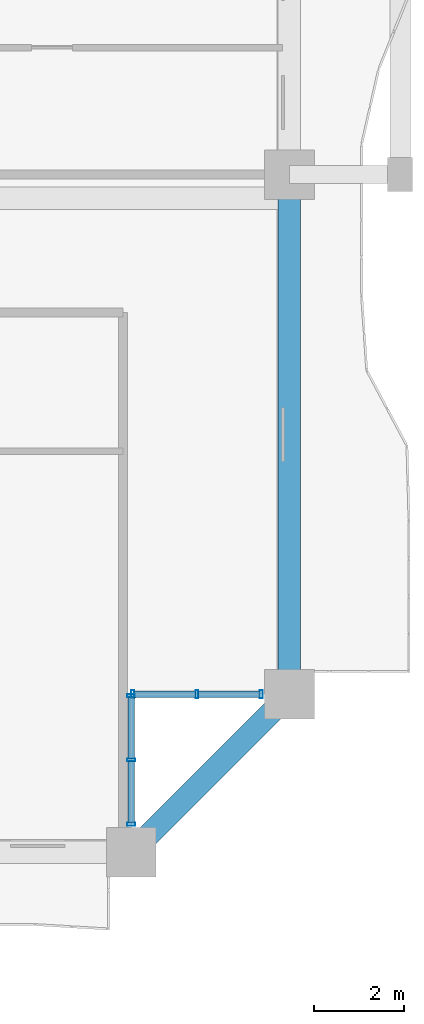
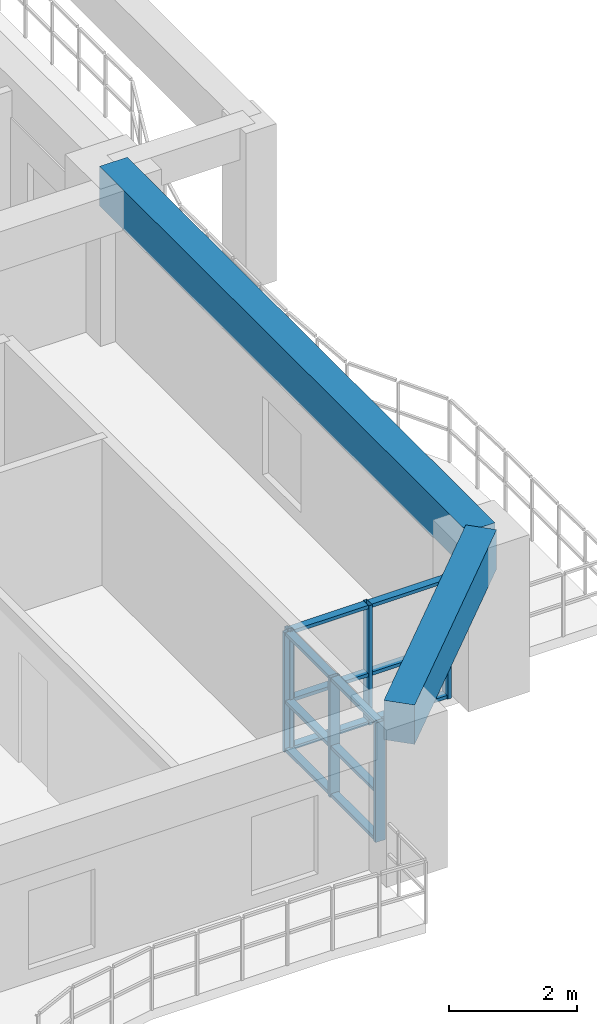
# One storey, part 4 of 27: 18 members, 2 beams, 2 elements without a shape of their own.
"""IFC4 building model written with IfcOpenShell, lengths in metres."""

from ifc_helpers import new_model, si_unit, direction, frame, origin, origin_2d, place, context, subcontext, project, spatial, rectangle, hollow_rectangle, extrude, source, transform, mapped, material, layer, layer_set, material_profile, profile_set, type_object, element, aggregate, save


model = new_model("IFC4")

# Units and contexts
model_context = context("Model", 3, precision=1e-05, world=origin(), true_north=direction((0.0, 1.0)))
body_context = subcontext(model_context, "Body", "Model", "MODEL_VIEW")
ifc_project = project(units=[si_unit("LENGTHUNIT", "METRE"), si_unit("AREAUNIT", "SQUARE_METRE"), si_unit("VOLUMEUNIT", "CUBIC_METRE"), si_unit("PLANEANGLEUNIT", "RADIAN"), si_unit("MASSUNIT", "GRAM", prefix="KILO")], contexts=[model_context])

# Site, building, storey
site_placement = place(None, origin())
site = spatial("IfcSite", under=ifc_project, at=site_placement, CompositionType="ELEMENT")
building_placement = place(site_placement, origin())
building = spatial("IfcBuilding", under=site, at=building_placement, Name="Saelheon Loggia Tower", CompositionType="ELEMENT")
storey_placement = place(building_placement, frame((0.0, 0.0, 43.39990234375)))
storey = spatial("IfcBuildingStorey", under=building, at=storey_placement, Name="L13", CompositionType="ELEMENT", Elevation=43.39990234375)

# Beams
ifc_material_1 = material(Name="Concrete C45/55", Category="concrete")
ifc_material_profile_1 = material_profile(ifc_material_1, rectangle(XDim=0.5, YDim=0.75, at=origin_2d()), Name="RC-500x750")
ifc_profile_set_1 = profile_set([ifc_material_profile_1], Name="Concrete C45/55")
beam_type = type_object("IfcBeamType", Name="Beam_PerimGirder_RC500x750", PredefinedType="BEAM", material=ifc_profile_set_1)
shared_shape_1 = source(origin(), body_context, "Body", "SweptSolid", [
    extrude(rectangle(XDim=0.5, YDim=0.75, at=origin_2d()), origin(), (0.0, 0.0, 1.0), 4.94970703125),
])
beam_1_placement = place(storey_placement, frame((60.5, 3.0, 2.625), z_axis=(0.707106781187, 0.707106781187, 0.0), x_axis=(-0.707106781187, 0.707106781187, 0.0)))
element("IfcBeam", 1, at=beam_1_placement, inside=storey, type_object=beam_type, Name="L13 Perimeter Frame Girder 04", PredefinedType="BEAM", context=body_context, shape_type="MappedRepresentation", body=[
    mapped(shared_shape_1, transform((0.0, 0.0, 0.0), scale=1.0)),
])
shared_shape_2 = source(origin(), body_context, "Body", "SweptSolid", [
    extrude(rectangle(XDim=0.5, YDim=0.75, at=origin_2d()), origin(), (0.0, 0.0, 1.0), 11.5),
])
beam_2_placement = place(storey_placement, frame((64.0, 6.5, 2.625), z_axis=(0.0, 1.0, 0.0), x_axis=(-1.0, 0.0, 0.0)))
element("IfcBeam", 2, at=beam_2_placement, inside=storey, type_object=beam_type, Name="L13 Perimeter Frame Girder 05", PredefinedType="BEAM", context=body_context, shape_type="MappedRepresentation", body=[
    mapped(shared_shape_2, transform((0.0, 0.0, 0.0), scale=1.0)),
])

# Curtain wall, members
ifc_material_2 = material(Name="Thermal-Break Aluminium and Triple Low-E Glass", Category="aluminium")
ifc_layer = layer(ifc_material_2, 0.159912109375)
ifc_layer_set = layer_set([ifc_layer], Name="Thermal-Break Aluminium and Triple Low-E Glass")
curtain_wall_type = type_object("IfcCurtainWallType", Name="CW_TowerLoggiaLow", PredefinedType="NOTDEFINED", material=ifc_layer_set)
curtain_wall_1_placement = place(storey_placement, origin())
curtain_wall_1 = element("IfcCurtainWall", 3, at=curtain_wall_1_placement, inside=storey, type_object=curtain_wall_type, Name="L13 Corner Notch Glazing SE1", PredefinedType="NOTDEFINED")
ifc_material_3 = material(Name="Anodised Aluminium 6063-T6", Category="aluminium")
ifc_material_profile_2 = material_profile(ifc_material_3, hollow_rectangle(XDim=0.06494140625, YDim=0.179931640625, WallThickness=0.00390625, at=origin_2d()), Name="RHS-180x65x4")
ifc_profile_set_2 = profile_set([ifc_material_profile_2], Name="Anodised Aluminium 6063-T6")
member_type_1 = type_object("IfcMemberType", Name="CW_TowerLoggiaLow_Mullion", PredefinedType="MULLION", material=ifc_profile_set_2)
shared_shape_3 = source(origin(), body_context, "Body", "SweptSolid", [
    extrude(hollow_rectangle(XDim=0.06494140625, YDim=0.179931640625, WallThickness=0.00390625, at=origin_2d()), origin(), (0.0, 0.0, 1.0), 2.280029296875),
])
member_1_placement = place(storey_placement, frame((60.5, 3.62255859375, 0.0), z_axis=(0.0, 0.0, 1.0), x_axis=(0.0, 1.0, 0.0)))
member_1 = element("IfcMember", 4, at=member_1_placement, type_object=member_type_1, Name="CW3 mullion 1", PredefinedType="MULLION", context=body_context, shape_type="MappedRepresentation", body=[
    mapped(shared_shape_3, transform((0.0, 0.0, 0.0), scale=1.0)),
])
member_2_placement = place(storey_placement, frame((60.5, 5.044921875, 0.0), z_axis=(0.0, 0.0, 1.0), x_axis=(0.0, 1.0, 0.0)))
member_2 = element("IfcMember", 5, at=member_2_placement, type_object=member_type_1, Name="CW3 mullion 2", PredefinedType="MULLION", context=body_context, shape_type="MappedRepresentation", body=[
    mapped(shared_shape_3, transform((0.0, 0.0, 0.0), scale=1.0)),
])
member_3_placement = place(storey_placement, frame((60.5, 6.467529296875, 0.0), z_axis=(0.0, 0.0, 1.0), x_axis=(0.0, 1.0, 0.0)))
member_3 = element("IfcMember", 6, at=member_3_placement, type_object=member_type_1, Name="CW3 mullion 3", PredefinedType="MULLION", context=body_context, shape_type="MappedRepresentation", body=[
    mapped(shared_shape_3, transform((0.0, 0.0, 0.0), scale=1.0)),
])

curtain_wall_2_placement = place(storey_placement, origin())
curtain_wall_2 = element("IfcCurtainWall", 7, at=curtain_wall_2_placement, inside=storey, type_object=curtain_wall_type, Name="L13 Corner Notch Glazing SE2", PredefinedType="NOTDEFINED")
member_4_placement = place(storey_placement, frame((60.532470703125, 6.5, 0.0), z_axis=(0.0, 0.0, 1.0), x_axis=(1.0, 0.0, 0.0)))
member_4 = element("IfcMember", 8, at=member_4_placement, type_object=member_type_1, Name="CW3 mullion 1", PredefinedType="MULLION", context=body_context, shape_type="MappedRepresentation", body=[
    mapped(shared_shape_3, transform((0.0, 0.0, 0.0), scale=1.0)),
])
member_5_placement = place(storey_placement, frame((61.955078125, 6.5, 0.0), z_axis=(0.0, 0.0, 1.0), x_axis=(1.0, 0.0, 0.0)))
member_5 = element("IfcMember", 9, at=member_5_placement, type_object=member_type_1, Name="CW3 mullion 2", PredefinedType="MULLION", context=body_context, shape_type="MappedRepresentation", body=[
    mapped(shared_shape_3, transform((0.0, 0.0, 0.0), scale=1.0)),
])
member_6_placement = place(storey_placement, frame((63.37744140625, 6.5, 0.0), z_axis=(0.0, 0.0, 1.0), x_axis=(1.0, 0.0, 0.0)))
member_6 = element("IfcMember", 10, at=member_6_placement, type_object=member_type_1, Name="CW3 mullion 3", PredefinedType="MULLION", context=body_context, shape_type="MappedRepresentation", body=[
    mapped(shared_shape_3, transform((0.0, 0.0, 0.0), scale=1.0)),
])

# Member
ifc_material_profile_3 = material_profile(ifc_material_3, hollow_rectangle(XDim=0.06494140625, YDim=0.139892578125, WallThickness=0.00390625, at=origin_2d()), Name="RHS-140x65x4")
ifc_profile_set_3 = profile_set([ifc_material_profile_3], Name="Anodised Aluminium 6063-T6")
member_type_2 = type_object("IfcMemberType", Name="CW_TowerLoggiaLow_Transom", PredefinedType="USERDEFINED", material=ifc_profile_set_3)
shared_shape_4 = source(origin(), body_context, "Body", "SweptSolid", [
    extrude(hollow_rectangle(XDim=0.06494140625, YDim=0.139892578125, WallThickness=0.00390625, at=origin_2d()), origin(), (0.0, 0.0, 1.0), 1.357421875),
])
member_7_placement = place(storey_placement, frame((60.5, 3.655029296875, 0.03271484375), z_axis=(0.0, 1.0, 0.0), x_axis=(0.0, 0.0, 1.0)))
member_7 = element("IfcMember", 11, at=member_7_placement, type_object=member_type_2, Name="CW3 transom 1.1", ObjectType="TRANSOM", PredefinedType="USERDEFINED", context=body_context, shape_type="MappedRepresentation", body=[
    mapped(shared_shape_4, transform((0.0, 0.0, 0.0), scale=1.0)),
])

member_8_placement = place(storey_placement, frame((60.5, 3.655029296875, 0.9501953125), z_axis=(0.0, 1.0, 0.0), x_axis=(0.0, 0.0, 1.0)))
member_8 = element("IfcMember", 12, at=member_8_placement, type_object=member_type_2, Name="CW3 transom 1.2", ObjectType="TRANSOM", PredefinedType="USERDEFINED", context=body_context, shape_type="MappedRepresentation", body=[
    mapped(shared_shape_4, transform((0.0, 0.0, 0.0), scale=1.0)),
])

member_9_placement = place(storey_placement, frame((60.5, 3.655029296875, 2.24755859375), z_axis=(0.0, 1.0, 0.0), x_axis=(0.0, 0.0, 1.0)))
member_9 = element("IfcMember", 13, at=member_9_placement, type_object=member_type_2, Name="CW3 transom 1.3", ObjectType="TRANSOM", PredefinedType="USERDEFINED", context=body_context, shape_type="MappedRepresentation", body=[
    mapped(shared_shape_4, transform((0.0, 0.0, 0.0), scale=1.0)),
])

member_10_placement = place(storey_placement, frame((61.987548828125, 6.5, 0.03271484375), z_axis=(1.0, 0.0, 0.0), x_axis=(0.0, 0.0, 1.0)))
member_10 = element("IfcMember", 14, at=member_10_placement, type_object=member_type_2, Name="CW3 transom 2.1", ObjectType="TRANSOM", PredefinedType="USERDEFINED", context=body_context, shape_type="MappedRepresentation", body=[
    mapped(shared_shape_4, transform((0.0, 0.0, 0.0), scale=1.0)),
])

member_11_placement = place(storey_placement, frame((61.987548828125, 6.5, 0.9501953125), z_axis=(1.0, 0.0, 0.0), x_axis=(0.0, 0.0, 1.0)))
member_11 = element("IfcMember", 15, at=member_11_placement, type_object=member_type_2, Name="CW3 transom 2.2", ObjectType="TRANSOM", PredefinedType="USERDEFINED", context=body_context, shape_type="MappedRepresentation", body=[
    mapped(shared_shape_4, transform((0.0, 0.0, 0.0), scale=1.0)),
])

member_12_placement = place(storey_placement, frame((61.987548828125, 6.5, 2.24755859375), z_axis=(1.0, 0.0, 0.0), x_axis=(0.0, 0.0, 1.0)))
member_12 = element("IfcMember", 16, at=member_12_placement, type_object=member_type_2, Name="CW3 transom 2.3", ObjectType="TRANSOM", PredefinedType="USERDEFINED", context=body_context, shape_type="MappedRepresentation", body=[
    mapped(shared_shape_4, transform((0.0, 0.0, 0.0), scale=1.0)),
])

shared_shape_5 = source(origin(), body_context, "Body", "SweptSolid", [
    extrude(hollow_rectangle(XDim=0.06494140625, YDim=0.139892578125, WallThickness=0.00390625, at=origin_2d()), origin(), (0.0, 0.0, 1.0), 1.357666015625),
])
member_13_placement = place(storey_placement, frame((60.5, 5.077392578125, 0.03271484375), z_axis=(0.0, 1.0, 0.0), x_axis=(0.0, 0.0, 1.0)))
member_13 = element("IfcMember", 17, at=member_13_placement, type_object=member_type_2, Name="CW3 transom 2.1", ObjectType="TRANSOM", PredefinedType="USERDEFINED", context=body_context, shape_type="MappedRepresentation", body=[
    mapped(shared_shape_5, transform((0.0, 0.0, 0.0), scale=1.0)),
])

member_14_placement = place(storey_placement, frame((60.5, 5.077392578125, 0.9501953125), z_axis=(0.0, 1.0, 0.0), x_axis=(0.0, 0.0, 1.0)))
member_14 = element("IfcMember", 18, at=member_14_placement, type_object=member_type_2, Name="CW3 transom 2.2", ObjectType="TRANSOM", PredefinedType="USERDEFINED", context=body_context, shape_type="MappedRepresentation", body=[
    mapped(shared_shape_5, transform((0.0, 0.0, 0.0), scale=1.0)),
])

member_15_placement = place(storey_placement, frame((60.5, 5.077392578125, 2.24755859375), z_axis=(0.0, 1.0, 0.0), x_axis=(0.0, 0.0, 1.0)))
member_15 = element("IfcMember", 19, at=member_15_placement, type_object=member_type_2, Name="CW3 transom 2.3", ObjectType="TRANSOM", PredefinedType="USERDEFINED", context=body_context, shape_type="MappedRepresentation", body=[
    mapped(shared_shape_5, transform((0.0, 0.0, 0.0), scale=1.0)),
])

aggregate(curtain_wall_1, [member_1, member_2, member_3, member_7, member_8, member_9, member_13, member_14, member_15])

member_16_placement = place(storey_placement, frame((60.56494140625, 6.5, 0.03271484375), z_axis=(1.0, 0.0, 0.0), x_axis=(0.0, 0.0, 1.0)))
member_16 = element("IfcMember", 20, at=member_16_placement, type_object=member_type_2, Name="CW3 transom 1.1", ObjectType="TRANSOM", PredefinedType="USERDEFINED", context=body_context, shape_type="MappedRepresentation", body=[
    mapped(shared_shape_5, transform((0.0, 0.0, 0.0), scale=1.0)),
])

member_17_placement = place(storey_placement, frame((60.56494140625, 6.5, 0.9501953125), z_axis=(1.0, 0.0, 0.0), x_axis=(0.0, 0.0, 1.0)))
member_17 = element("IfcMember", 21, at=member_17_placement, type_object=member_type_2, Name="CW3 transom 1.2", ObjectType="TRANSOM", PredefinedType="USERDEFINED", context=body_context, shape_type="MappedRepresentation", body=[
    mapped(shared_shape_5, transform((0.0, 0.0, 0.0), scale=1.0)),
])

member_18_placement = place(storey_placement, frame((60.56494140625, 6.5, 2.24755859375), z_axis=(1.0, 0.0, 0.0), x_axis=(0.0, 0.0, 1.0)))
member_18 = element("IfcMember", 22, at=member_18_placement, type_object=member_type_2, Name="CW3 transom 1.3", ObjectType="TRANSOM", PredefinedType="USERDEFINED", context=body_context, shape_type="MappedRepresentation", body=[
    mapped(shared_shape_5, transform((0.0, 0.0, 0.0), scale=1.0)),
])

aggregate(curtain_wall_2, [member_4, member_5, member_6, member_16, member_17, member_18, member_10, member_11, member_12])

save(model, "model.ifc")
